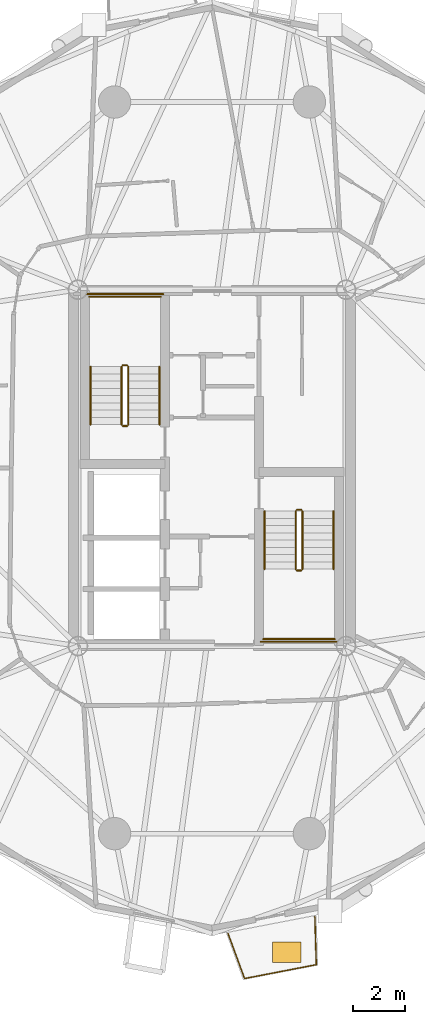
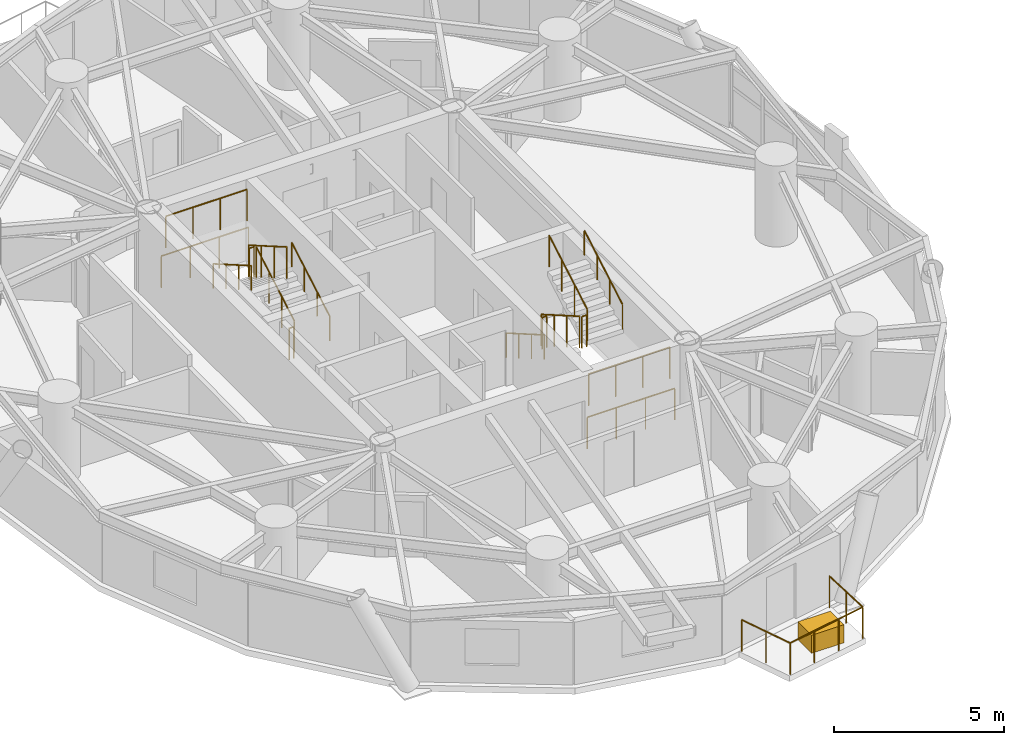
# One storey, part 17 of 19: 17 railings, 1 covering.
"""IFC4 building model written with IfcOpenShell, lengths in metres."""

from ifc_helpers import new_model, si_unit, direction, frame, origin, origin_2d, place, context, subcontext, project, spatial, rectangle, circle, extrude, source, transform, mapped, material, layer, layer_set, type_object, element, save


model = new_model("IFC4")

# Units and contexts
model_context = context("Model", 3, precision=1e-05, world=origin(), true_north=direction((0.0, 1.0)))
body_context = subcontext(model_context, "Body", "Model", "MODEL_VIEW")
ifc_project = project(units=[si_unit("LENGTHUNIT", "METRE"), si_unit("AREAUNIT", "SQUARE_METRE"), si_unit("VOLUMEUNIT", "CUBIC_METRE"), si_unit("PLANEANGLEUNIT", "RADIAN"), si_unit("MASSUNIT", "GRAM", prefix="KILO")], contexts=[model_context])

# Site, building, storey
site_placement = place(None, origin())
site = spatial("IfcSite", under=ifc_project, at=site_placement, CompositionType="ELEMENT")
building_placement = place(site_placement, origin())
building = spatial("IfcBuilding", under=site, at=building_placement, Name="Cununo Teusaquillo Station Towers", CompositionType="ELEMENT")
storey_placement = place(building_placement, frame((0.0, 0.0, 151.60009765625)))
storey = spatial("IfcBuildingStorey", under=building, at=storey_placement, Name="L47", CompositionType="ELEMENT", Elevation=151.60009765625)

# Railings
ifc_material_1 = material(Name="Anodised dark bronze aluminium EN AW-6063-T6", Category="aluminium")
railing_type_1 = type_object("IfcRailingType", Name="RL-EXT-GUARD", PredefinedType="GUARDRAIL", material=ifc_material_1)
railing_1_placement = place(storey_placement, frame((20.470703125, 7.173583984375, 0.0)))
element("IfcRailing", 1, at=railing_1_placement, inside=storey, type_object=railing_type_1, Name="L47 Tower A Balcony Guardrail C15", PredefinedType="GUARDRAIL", context=body_context, shape_type="SweptSolid", body=[
    extrude(circle(Radius=0.02392578125, at=origin_2d()), frame((0.0, 0.0, 1.1259765625), z_axis=(0.030492060761, -0.999535009007, 0.0), x_axis=(0.999535009007, 0.030492060761, 0.0)), (0.0, 0.0, 1.0), 1.857666015625),
    extrude(circle(Radius=0.02392578125, at=origin_2d()), frame((0.056640625, -1.856689453125, 1.1259765625), z_axis=(-0.981837596309, -0.18972331031, 0.0), x_axis=(0.18972331031, -0.981837596309, 0.0)), (0.0, 0.0, 1.0), 2.822021484375),
    extrude(circle(Radius=0.02392578125, at=origin_2d()), frame((-2.714111328125, -2.39208984375, 1.1259765625), z_axis=(-0.344127190422, 0.938923040942, 0.0), x_axis=(-0.938923040942, -0.344127190422, 0.0)), (0.0, 0.0, 1.0), 1.857421875),
    extrude(circle(Radius=0.02099609375, at=origin_2d()), origin(), (0.0, 0.0, 1.0), 1.101806640625),
    extrude(circle(Radius=0.02099609375, at=origin_2d()), frame((0.0283203125, -0.92822265625, 0.0)), (0.0, 0.0, 1.0), 1.101806640625),
    extrude(circle(Radius=0.02099609375, at=origin_2d()), frame((0.056640625, -1.856689453125, 0.0)), (0.0, 0.0, 1.0), 1.101806640625),
    extrude(circle(Radius=0.02099609375, at=origin_2d()), frame((-0.866943359375, -2.03515625, 0.0)), (0.0, 0.0, 1.0), 1.101806640625),
    extrude(circle(Radius=0.02099609375, at=origin_2d()), frame((-1.79052734375, -2.213623046875, 0.0)), (0.0, 0.0, 1.0), 1.101806640625),
    extrude(circle(Radius=0.02099609375, at=origin_2d()), frame((-2.714111328125, -2.39208984375, 0.0)), (0.0, 0.0, 1.0), 1.101806640625),
    extrude(circle(Radius=0.02099609375, at=origin_2d()), frame((-3.03369140625, -1.52001953125, 0.0)), (0.0, 0.0, 1.0), 1.101806640625),
    extrude(circle(Radius=0.02099609375, at=origin_2d()), frame((-3.353271484375, -0.648193359375, 0.0)), (0.0, 0.0, 1.0), 1.101806640625),
])
ifc_material_2 = material(Name="Steel EN 10025-2 S355J2", Category="steel")
railing_type_2 = type_object("IfcRailingType", Name="RL-INT-GUARD", PredefinedType="GUARDRAIL", material=ifc_material_2)
railing_2_placement = place(storey_placement, frame((13.27001953125, 26.169921875, 0.16162109375)))
element("IfcRailing", 2, at=railing_2_placement, inside=storey, type_object=railing_type_2, Name="L47 ST-T1-1 stair guard 1", PredefinedType="GUARDRAIL", context=body_context, shape_type="SweptSolid", body=[
    extrude(circle(Radius=0.02392578125, at=origin_2d()), frame((0.0, 0.0, 1.1259765625), z_axis=(0.0, 0.866033117094, 0.499986639918), x_axis=(-1.0, 0.0, 0.0)), (0.0, 0.0, 1.0), 2.58642578125),
    extrude(circle(Radius=0.02099609375, at=origin_2d()), origin(), (0.0, 0.0, 1.0), 1.101806640625),
    extrude(circle(Radius=0.02099609375, at=origin_2d()), frame((0.0, 0.74658203125, 0.43115234375)), (0.0, 0.0, 1.0), 1.101806640625),
    extrude(circle(Radius=0.02099609375, at=origin_2d()), frame((0.0, 1.493408203125, 0.862060546875)), (0.0, 0.0, 1.0), 1.101806640625),
    extrude(circle(Radius=0.02099609375, at=origin_2d()), frame((0.0, 2.239990234375, 1.293212890625)), (0.0, 0.0, 1.0), 1.101806640625),
])
railing_3_placement = place(storey_placement, frame((13.219970703125, 28.4599609375, 1.454833984375)))
element("IfcRailing", 3, at=railing_3_placement, inside=storey, type_object=railing_type_2, Name="L47 ST-T1-1 stair guard 2", PredefinedType="GUARDRAIL", context=body_context, shape_type="SweptSolid", body=[
    extrude(circle(Radius=0.02392578125, at=origin_2d()), frame((0.0, 0.0, 1.1259765625), z_axis=(-1.0, 0.0, 0.0), x_axis=(0.0, -1.0, 0.0)), (0.0, 0.0, 1.0), 0.159912109375),
    extrude(circle(Radius=0.02099609375, at=origin_2d()), origin(), (0.0, 0.0, 1.0), 1.101806640625),
    extrude(circle(Radius=0.02099609375, at=origin_2d()), frame((-0.159912109375, 0.0, 0.0)), (0.0, 0.0, 1.0), 1.101806640625),
])
railing_4_placement = place(storey_placement, frame((14.52001953125, 31.110107421875, 1.454833984375)))
element("IfcRailing", 4, at=railing_4_placement, inside=storey, type_object=railing_type_2, Name="L47 ST-T1-1 stair guard 3", PredefinedType="GUARDRAIL", context=body_context, shape_type="SweptSolid", body=[
    extrude(circle(Radius=0.02392578125, at=origin_2d()), frame((0.0, 0.0, 1.1259765625), z_axis=(-1.0, 0.0, 0.0), x_axis=(0.0, -1.0, 0.0)), (0.0, 0.0, 1.0), 2.760009765625),
    extrude(circle(Radius=0.02099609375, at=origin_2d()), origin(), (0.0, 0.0, 1.0), 1.101806640625),
    extrude(circle(Radius=0.02099609375, at=origin_2d()), frame((-0.919921875, 0.0, 0.0)), (0.0, 0.0, 1.0), 1.101806640625),
    extrude(circle(Radius=0.02099609375, at=origin_2d()), frame((-1.840087890625, 0.0, 0.0)), (0.0, 0.0, 1.0), 1.101806640625),
    extrude(circle(Radius=0.02099609375, at=origin_2d()), frame((-2.760009765625, 0.0, 0.0)), (0.0, 0.0, 1.0), 1.101806640625),
])
railing_5_placement = place(storey_placement, frame((13.010009765625, 28.409912109375, 1.616455078125)))
element("IfcRailing", 5, at=railing_5_placement, inside=storey, type_object=railing_type_2, Name="L47 ST-T1-1 stair guard 4", PredefinedType="GUARDRAIL", context=body_context, shape_type="SweptSolid", body=[
    extrude(circle(Radius=0.02392578125, at=origin_2d()), frame((0.0, 0.0, 1.1259765625), z_axis=(0.0, -0.865992244559, 0.500057429065), x_axis=(1.0, 0.0, 0.0)), (0.0, 0.0, 1.0), 2.586669921875),
    extrude(circle(Radius=0.02099609375, at=origin_2d()), origin(), (0.0, 0.0, 1.0), 1.101806640625),
    extrude(circle(Radius=0.02099609375, at=origin_2d()), frame((0.0, -0.74658203125, 0.43115234375)), (0.0, 0.0, 1.0), 1.101806640625),
    extrude(circle(Radius=0.02099609375, at=origin_2d()), frame((0.0, -1.493408203125, 0.8623046875)), (0.0, 0.0, 1.0), 1.101806640625),
    extrude(circle(Radius=0.02099609375, at=origin_2d()), frame((0.0, -2.239990234375, 1.29345703125)), (0.0, 0.0, 1.0), 1.101806640625),
])
railing_6_placement = place(storey_placement, frame((13.219970703125, 26.1201171875, 0.0)))
element("IfcRailing", 6, at=railing_6_placement, inside=storey, type_object=railing_type_2, Name="L47 ST-T1-1 stair guard 5", PredefinedType="GUARDRAIL", context=body_context, shape_type="SweptSolid", body=[
    extrude(circle(Radius=0.02392578125, at=origin_2d()), frame((0.0, 0.0, 1.1259765625), z_axis=(-1.0, 0.0, 0.0), x_axis=(0.0, -1.0, 0.0)), (0.0, 0.0, 1.0), 0.159912109375),
    extrude(circle(Radius=0.02099609375, at=origin_2d()), origin(), (0.0, 0.0, 1.0), 1.101806640625),
    extrude(circle(Radius=0.02099609375, at=origin_2d()), frame((-0.159912109375, 0.0, 0.0)), (0.0, 0.0, 1.0), 1.101806640625),
])
railing_7_placement = place(storey_placement, frame((14.6201171875, 31.2099609375, 0.0)))
element("IfcRailing", 7, at=railing_7_placement, inside=storey, type_object=railing_type_2, Name="L47 ST-T1-1 stair guard 6", PredefinedType="GUARDRAIL", context=body_context, shape_type="SweptSolid", body=[
    extrude(circle(Radius=0.02392578125, at=origin_2d()), frame((0.0, 0.0, 1.1259765625), z_axis=(-1.0, 0.0, 0.0), x_axis=(0.0, -1.0, 0.0)), (0.0, 0.0, 1.0), 2.960205078125),
    extrude(circle(Radius=0.02099609375, at=origin_2d()), origin(), (0.0, 0.0, 1.0), 1.101806640625),
    extrude(circle(Radius=0.02099609375, at=origin_2d()), frame((-0.98681640625, 0.0, 0.0)), (0.0, 0.0, 1.0), 1.101806640625),
    extrude(circle(Radius=0.02099609375, at=origin_2d()), frame((-1.973388671875, 0.0, 0.0)), (0.0, 0.0, 1.0), 1.101806640625),
    extrude(circle(Radius=0.02099609375, at=origin_2d()), frame((-2.960205078125, 0.0, 0.0)), (0.0, 0.0, 1.0), 1.101806640625),
])
railing_8_placement = place(storey_placement, frame((19.72998046875, 22.830078125, 0.16162109375)))
element("IfcRailing", 8, at=railing_8_placement, inside=storey, type_object=railing_type_2, Name="L47 ST-T1-2 stair guard 1", PredefinedType="GUARDRAIL", context=body_context, shape_type="SweptSolid", body=[
    extrude(circle(Radius=0.02392578125, at=origin_2d()), frame((0.0, 0.0, 1.1259765625), z_axis=(0.0, -0.866033117094, 0.499986639918), x_axis=(1.0, 0.0, 0.0)), (0.0, 0.0, 1.0), 2.58642578125),
    extrude(circle(Radius=0.02099609375, at=origin_2d()), origin(), (0.0, 0.0, 1.0), 1.101806640625),
    extrude(circle(Radius=0.02099609375, at=origin_2d()), frame((0.0, -0.74658203125, 0.43115234375)), (0.0, 0.0, 1.0), 1.101806640625),
    extrude(circle(Radius=0.02099609375, at=origin_2d()), frame((0.0, -1.493408203125, 0.862060546875)), (0.0, 0.0, 1.0), 1.101806640625),
    extrude(circle(Radius=0.02099609375, at=origin_2d()), frame((0.0, -2.239990234375, 1.293212890625)), (0.0, 0.0, 1.0), 1.101806640625),
])
railing_9_placement = place(storey_placement, frame((19.780029296875, 20.5400390625, 1.454833984375)))
element("IfcRailing", 9, at=railing_9_placement, inside=storey, type_object=railing_type_2, Name="L47 ST-T1-2 stair guard 2", PredefinedType="GUARDRAIL", context=body_context, shape_type="SweptSolid", body=[
    extrude(circle(Radius=0.02392578125, at=origin_2d()), frame((0.0, 0.0, 1.1259765625), z_axis=(1.0, 0.0, 0.0), x_axis=(0.0, 1.0, 0.0)), (0.0, 0.0, 1.0), 0.159912109375),
    extrude(circle(Radius=0.02099609375, at=origin_2d()), origin(), (0.0, 0.0, 1.0), 1.101806640625),
    extrude(circle(Radius=0.02099609375, at=origin_2d()), frame((0.159912109375, 0.0, 0.0)), (0.0, 0.0, 1.0), 1.101806640625),
])
railing_10_placement = place(storey_placement, frame((18.47998046875, 17.889892578125, 1.454833984375)))
element("IfcRailing", 10, at=railing_10_placement, inside=storey, type_object=railing_type_2, Name="L47 ST-T1-2 stair guard 3", PredefinedType="GUARDRAIL", context=body_context, shape_type="SweptSolid", body=[
    extrude(circle(Radius=0.02392578125, at=origin_2d()), frame((0.0, 0.0, 1.1259765625), z_axis=(1.0, 0.0, 0.0), x_axis=(0.0, 1.0, 0.0)), (0.0, 0.0, 1.0), 2.760009765625),
    extrude(circle(Radius=0.02099609375, at=origin_2d()), origin(), (0.0, 0.0, 1.0), 1.101806640625),
    extrude(circle(Radius=0.02099609375, at=origin_2d()), frame((0.919921875, 0.0, 0.0)), (0.0, 0.0, 1.0), 1.101806640625),
    extrude(circle(Radius=0.02099609375, at=origin_2d()), frame((1.840087890625, 0.0, 0.0)), (0.0, 0.0, 1.0), 1.101806640625),
    extrude(circle(Radius=0.02099609375, at=origin_2d()), frame((2.760009765625, 0.0, 0.0)), (0.0, 0.0, 1.0), 1.101806640625),
])
railing_11_placement = place(storey_placement, frame((19.989990234375, 20.590087890625, 1.616455078125)))
element("IfcRailing", 11, at=railing_11_placement, inside=storey, type_object=railing_type_2, Name="L47 ST-T1-2 stair guard 4", PredefinedType="GUARDRAIL", context=body_context, shape_type="SweptSolid", body=[
    extrude(circle(Radius=0.02392578125, at=origin_2d()), frame((0.0, 0.0, 1.1259765625), z_axis=(0.0, 0.865992244559, 0.500057429065), x_axis=(-1.0, 0.0, 0.0)), (0.0, 0.0, 1.0), 2.586669921875),
    extrude(circle(Radius=0.02099609375, at=origin_2d()), origin(), (0.0, 0.0, 1.0), 1.101806640625),
    extrude(circle(Radius=0.02099609375, at=origin_2d()), frame((0.0, 0.74658203125, 0.43115234375)), (0.0, 0.0, 1.0), 1.101806640625),
    extrude(circle(Radius=0.02099609375, at=origin_2d()), frame((0.0, 1.493408203125, 0.8623046875)), (0.0, 0.0, 1.0), 1.101806640625),
    extrude(circle(Radius=0.02099609375, at=origin_2d()), frame((0.0, 2.239990234375, 1.29345703125)), (0.0, 0.0, 1.0), 1.101806640625),
])
railing_12_placement = place(storey_placement, frame((19.780029296875, 22.8798828125, 0.0)))
element("IfcRailing", 12, at=railing_12_placement, inside=storey, type_object=railing_type_2, Name="L47 ST-T1-2 stair guard 5", PredefinedType="GUARDRAIL", context=body_context, shape_type="SweptSolid", body=[
    extrude(circle(Radius=0.02392578125, at=origin_2d()), frame((0.0, 0.0, 1.1259765625), z_axis=(1.0, 0.0, 0.0), x_axis=(0.0, 1.0, 0.0)), (0.0, 0.0, 1.0), 0.159912109375),
    extrude(circle(Radius=0.02099609375, at=origin_2d()), origin(), (0.0, 0.0, 1.0), 1.101806640625),
    extrude(circle(Radius=0.02099609375, at=origin_2d()), frame((0.159912109375, 0.0, 0.0)), (0.0, 0.0, 1.0), 1.101806640625),
])
railing_13_placement = place(storey_placement, frame((18.3798828125, 17.7900390625, 0.0)))
element("IfcRailing", 13, at=railing_13_placement, inside=storey, type_object=railing_type_2, Name="L47 ST-T1-2 stair guard 6", PredefinedType="GUARDRAIL", context=body_context, shape_type="SweptSolid", body=[
    extrude(circle(Radius=0.02392578125, at=origin_2d()), frame((0.0, 0.0, 1.1259765625), z_axis=(1.0, 0.0, 0.0), x_axis=(0.0, 1.0, 0.0)), (0.0, 0.0, 1.0), 2.960205078125),
    extrude(circle(Radius=0.02099609375, at=origin_2d()), origin(), (0.0, 0.0, 1.0), 1.101806640625),
    extrude(circle(Radius=0.02099609375, at=origin_2d()), frame((0.98681640625, 0.0, 0.0)), (0.0, 0.0, 1.0), 1.101806640625),
    extrude(circle(Radius=0.02099609375, at=origin_2d()), frame((1.973388671875, 0.0, 0.0)), (0.0, 0.0, 1.0), 1.101806640625),
    extrude(circle(Radius=0.02099609375, at=origin_2d()), frame((2.960205078125, 0.0, 0.0)), (0.0, 0.0, 1.0), 1.101806640625),
])
ifc_material_3 = material(Name="Steel EN 10025-2 S355J2", Category="steel")
railing_type_3 = type_object("IfcRailingType", Name="RL-INT-HRAIL", PredefinedType="HANDRAIL", material=ifc_material_3)
railing_14_placement = place(storey_placement, frame((14.469970703125, 26.169921875, 0.16162109375)))
element("IfcRailing", 14, at=railing_14_placement, inside=storey, type_object=railing_type_3, Name="L47 ST-T1-1 stair handrail 1", PredefinedType="HANDRAIL", context=body_context, shape_type="SweptSolid", body=[
    extrude(circle(Radius=0.02392578125, at=origin_2d()), frame((0.0, 0.0, 0.8759765625), z_axis=(0.0, 0.866033117094, 0.499986639918), x_axis=(-1.0, 0.0, 0.0)), (0.0, 0.0, 1.0), 2.58642578125),
    extrude(circle(Radius=0.02099609375, at=origin_2d()), origin(), (0.0, 0.0, 1.0), 0.851806640625),
    extrude(circle(Radius=0.02099609375, at=origin_2d()), frame((0.0, 0.74658203125, 0.43115234375)), (0.0, 0.0, 1.0), 0.851806640625),
    extrude(circle(Radius=0.02099609375, at=origin_2d()), frame((0.0, 1.493408203125, 0.862060546875)), (0.0, 0.0, 1.0), 0.851806640625),
    extrude(circle(Radius=0.02099609375, at=origin_2d()), frame((0.0, 2.239990234375, 1.293212890625)), (0.0, 0.0, 1.0), 0.851806640625),
])
railing_15_placement = place(storey_placement, frame((11.81005859375, 28.409912109375, 1.616455078125)))
element("IfcRailing", 15, at=railing_15_placement, inside=storey, type_object=railing_type_3, Name="L47 ST-T1-1 stair handrail 2", PredefinedType="HANDRAIL", context=body_context, shape_type="SweptSolid", body=[
    extrude(circle(Radius=0.02392578125, at=origin_2d()), frame((0.0, 0.0, 0.8759765625), z_axis=(0.0, -0.865992244559, 0.500057429065), x_axis=(1.0, 0.0, 0.0)), (0.0, 0.0, 1.0), 2.586669921875),
    extrude(circle(Radius=0.02099609375, at=origin_2d()), origin(), (0.0, 0.0, 1.0), 0.851806640625),
    extrude(circle(Radius=0.02099609375, at=origin_2d()), frame((0.0, -0.74658203125, 0.43115234375)), (0.0, 0.0, 1.0), 0.851806640625),
    extrude(circle(Radius=0.02099609375, at=origin_2d()), frame((0.0, -1.493408203125, 0.8623046875)), (0.0, 0.0, 1.0), 0.851806640625),
    extrude(circle(Radius=0.02099609375, at=origin_2d()), frame((0.0, -2.239990234375, 1.29345703125)), (0.0, 0.0, 1.0), 0.851806640625),
])
railing_16_placement = place(storey_placement, frame((18.530029296875, 22.830078125, 0.16162109375)))
element("IfcRailing", 16, at=railing_16_placement, inside=storey, type_object=railing_type_3, Name="L47 ST-T1-2 stair handrail 1", PredefinedType="HANDRAIL", context=body_context, shape_type="SweptSolid", body=[
    extrude(circle(Radius=0.02392578125, at=origin_2d()), frame((0.0, 0.0, 0.8759765625), z_axis=(0.0, -0.866033117094, 0.499986639918), x_axis=(1.0, 0.0, 0.0)), (0.0, 0.0, 1.0), 2.58642578125),
    extrude(circle(Radius=0.02099609375, at=origin_2d()), origin(), (0.0, 0.0, 1.0), 0.851806640625),
    extrude(circle(Radius=0.02099609375, at=origin_2d()), frame((0.0, -0.74658203125, 0.43115234375)), (0.0, 0.0, 1.0), 0.851806640625),
    extrude(circle(Radius=0.02099609375, at=origin_2d()), frame((0.0, -1.493408203125, 0.862060546875)), (0.0, 0.0, 1.0), 0.851806640625),
    extrude(circle(Radius=0.02099609375, at=origin_2d()), frame((0.0, -2.239990234375, 1.293212890625)), (0.0, 0.0, 1.0), 0.851806640625),
])
railing_17_placement = place(storey_placement, frame((21.18994140625, 20.590087890625, 1.616455078125)))
element("IfcRailing", 17, at=railing_17_placement, inside=storey, type_object=railing_type_3, Name="L47 ST-T1-2 stair handrail 2", PredefinedType="HANDRAIL", context=body_context, shape_type="SweptSolid", body=[
    extrude(circle(Radius=0.02392578125, at=origin_2d()), frame((0.0, 0.0, 0.8759765625), z_axis=(0.0, 0.865992244559, 0.500057429065), x_axis=(-1.0, 0.0, 0.0)), (0.0, 0.0, 1.0), 2.586669921875),
    extrude(circle(Radius=0.02099609375, at=origin_2d()), origin(), (0.0, 0.0, 1.0), 0.851806640625),
    extrude(circle(Radius=0.02099609375, at=origin_2d()), frame((0.0, 0.74658203125, 0.43115234375)), (0.0, 0.0, 1.0), 0.851806640625),
    extrude(circle(Radius=0.02099609375, at=origin_2d()), frame((0.0, 1.493408203125, 0.8623046875)), (0.0, 0.0, 1.0), 0.851806640625),
    extrude(circle(Radius=0.02099609375, at=origin_2d()), frame((0.0, 2.239990234375, 1.29345703125)), (0.0, 0.0, 1.0), 0.851806640625),
])

# Covering
ifc_material_4 = material(Name="Architectural GRC planter shell and engineered root-zone substrate", Category="concrete")
ifc_layer = layer(ifc_material_4, 0.64990234375)
ifc_layer_set = layer_set([ifc_layer], Name="Architectural GRC planter shell and engineered root-zone substrate")
covering_type = type_object("IfcCoveringType", Name="COV-TREE-PLANTER", PredefinedType="CLADDING", material=ifc_layer_set)
shared_shape = source(origin(), body_context, "Body", "SweptSolid", [
    extrude(rectangle(XDim=1.10009765625, YDim=0.800048828125, at=origin_2d()), origin(), (0.0, 0.0, 1.0), 0.64990234375),
])
covering_placement = place(storey_placement, frame((19.38916015625, 5.7998046875, 0.0), z_axis=(0.0, 0.0, 1.0), x_axis=(1.0, 0.0, 0.0)))
element("IfcCovering", 18, at=covering_placement, inside=storey, type_object=covering_type, Name="L47 Tower A Balcony Tree PLANTER C15", PredefinedType="CLADDING", context=body_context, shape_type="MappedRepresentation", body=[
    mapped(shared_shape, transform((0.0, 0.0, 0.0), x_axis=(1.0, 0.0, 0.0), y_axis=(0.0, 1.0, 0.0), z_axis=(0.0, 0.0, 1.0), scale=1.0)),
])

save(model, "model.ifc")
